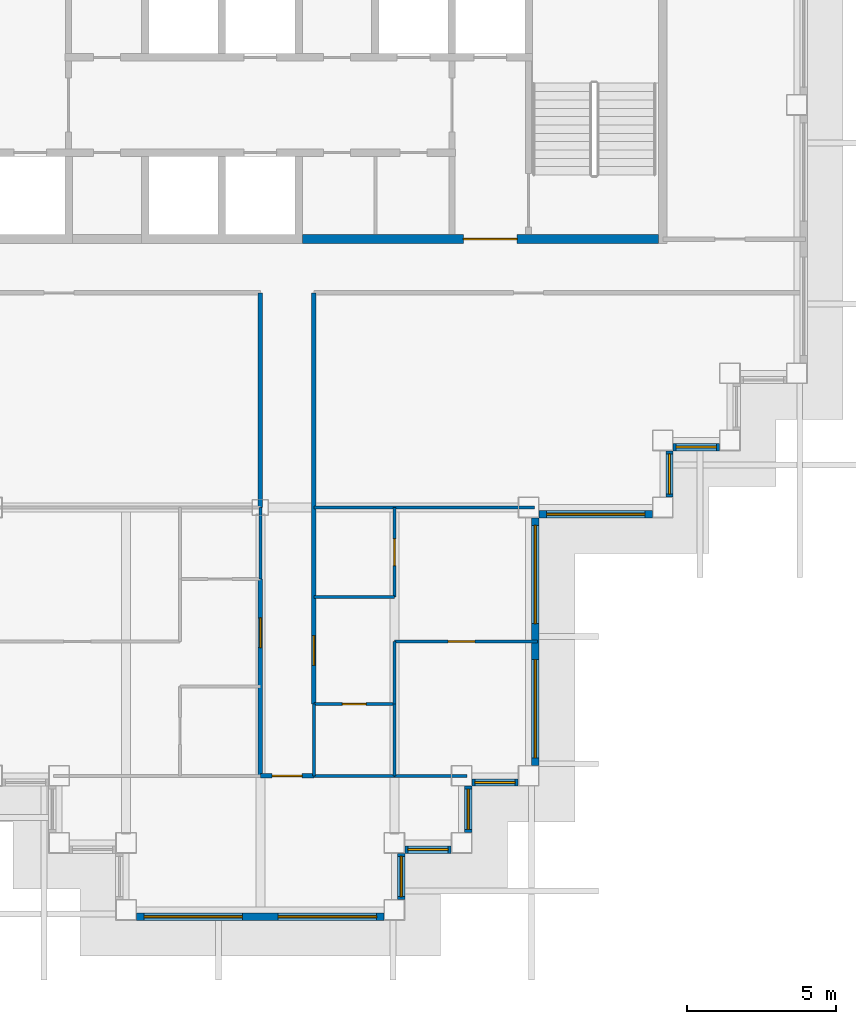
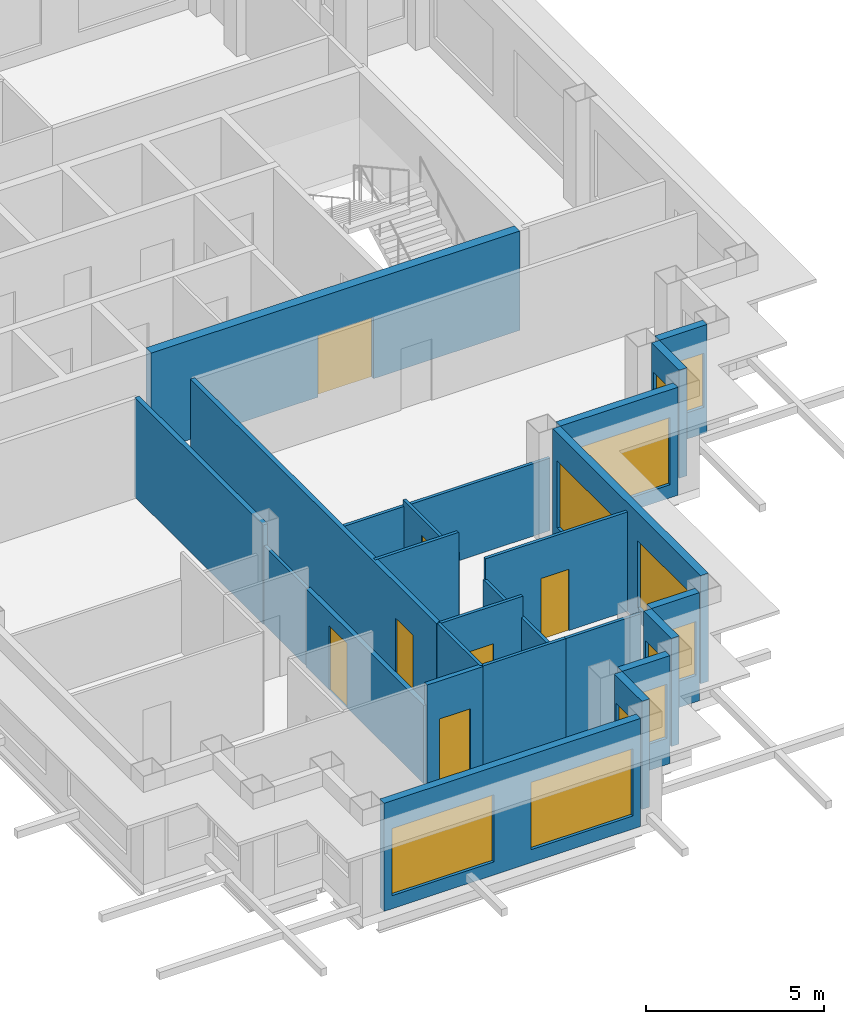
# One storey, part 4 of 12: 25 walls, 11 windows, 7 doors, 18 openings.
"""IFC4 building model written with IfcOpenShell, lengths in metres."""

from ifc_helpers import new_model, si_unit, direction, frame, frame_2d, origin, place, context, subcontext, project, spatial, rectangle, extrude, material, layer, layer_set, type_object, element, fill, save


model = new_model("IFC4")

# Units and contexts
model_context = context("Model", 3, precision=1e-05, world=origin(), true_north=direction((0.0, 1.0)))
body_context = subcontext(model_context, "Body", "Model", "MODEL_VIEW")
ifc_project = project(units=[si_unit("LENGTHUNIT", "METRE"), si_unit("AREAUNIT", "SQUARE_METRE"), si_unit("VOLUMEUNIT", "CUBIC_METRE"), si_unit("PLANEANGLEUNIT", "RADIAN"), si_unit("MASSUNIT", "GRAM", prefix="KILO")], contexts=[model_context])

# Site, building, storey
site_placement = place(None, origin())
site = spatial("IfcSite", under=ifc_project, at=site_placement, CompositionType="ELEMENT")
building_placement = place(site_placement, origin())
building = spatial("IfcBuilding", under=site, at=building_placement, Name="Caravel Reach Hotel and Residences", CompositionType="ELEMENT")
storey_placement = place(building_placement, frame((0.0, 0.0, 203.5)))
storey = spatial("IfcBuildingStorey", under=building, at=storey_placement, Name="L51", CompositionType="ELEMENT", Elevation=203.5)

# Wall
ifc_material_1 = material(Name="Gypsum board on steel stud", Category="steel")
ifc_layer_1 = layer(ifc_material_1, 0.10009765625)
ifc_layer_set_1 = layer_set([ifc_layer_1], Name="Bathroom pod wall 100 mm")
wall_type_1 = type_object("IfcWallType", Name="Bathroom pod wall 100 mm", PredefinedType="PARTITIONING", material=ifc_layer_set_1)
wall_1_placement = place(storey_placement, frame((33.300048828125, 4.5, 0.0), z_axis=(0.0, 0.0, 1.0), x_axis=(1.0, 0.0, 0.0)))
element("IfcWall", 1, at=wall_1_placement, inside=storey, type_object=wall_type_1, Name="L51 wall w072", PredefinedType="PARTITIONING", context=body_context, shape_type="SweptSolid", body=[
    extrude(rectangle(XDim=2.699951171875, YDim=0.10009765625, at=frame_2d((1.35009765625, 0.0))), origin(), (0.0, 0.0, 1.0), 3.39990234375),
])

# Wall, opening, door
wall_2_placement = place(storey_placement, frame((33.300048828125, 6.89990234375, 0.0), z_axis=(0.0, 0.0, 1.0), x_axis=(1.0, 0.0, 0.0)))
wall_2 = element("IfcWall", 2, at=wall_2_placement, inside=storey, type_object=wall_type_1, Name="L51 wall w073", PredefinedType="PARTITIONING", context=body_context, shape_type="SweptSolid", body=[
    extrude(rectangle(XDim=2.699951171875, YDim=0.10009765625, at=frame_2d((1.35009765625, 0.0))), origin(), (0.0, 0.0, 1.0), 3.39990234375),
])
opening_1_placement = place(wall_2_placement, frame((0.949951171875, 0.0, 0.0)))
opening_1 = element("IfcOpeningElement", 3, at=opening_1_placement, cuts=wall_2, Name="Opening D51-038", PredefinedType="OPENING", context=body_context, shape_type="SweptSolid", body=[
    extrude(rectangle(XDim=0.800048828125, YDim=2.10009765625, at=frame_2d((0.39990234375, 1.050048828125))), frame((0.0, 0.06005859375, 0.0), z_axis=(0.0, -1.0, 0.0), x_axis=(1.0, 0.0, 0.0)), (0.0, 0.0, 1.0), 0.1201171875),
])
ifc_material_2 = material(Name="Timber and steel door leaf", Category="steel")
door_type_1 = type_object("IfcDoorType", Name="Bathroom door 800 x 2100", OperationType="SINGLE_SWING_LEFT", PredefinedType="DOOR", material=ifc_material_2)
door_1_placement = place(opening_1_placement, origin())
door_1 = element("IfcDoor", 4, at=door_1_placement, inside=storey, type_object=door_type_1, Name="door D51-038", OperationType="SINGLE_SWING_RIGHT", OverallHeight=2.10009765625, OverallWidth=0.800048828125, PredefinedType="DOOR", context=body_context, shape_type="SweptSolid", body=[
    extrude(rectangle(XDim=0.800048828125, YDim=2.10009765625, at=frame_2d((0.39990234375, 1.050048828125))), frame((0.0, 0.02490234375, 0.0), z_axis=(0.0, -1.0, 0.0), x_axis=(1.0, 0.0, 0.0)), (0.0, 0.0, 1.0), 0.050048828125),
])
fill(opening_1, door_1)

# Walls
wall_3_placement = place(storey_placement, frame((31.5, 11.10009765625, 0.0), z_axis=(0.0, 0.0, 1.0), x_axis=(0.0, 1.0, 0.0)))
element("IfcWall", 5, at=wall_3_placement, inside=storey, type_object=wall_type_1, Name="L51 wall w077", PredefinedType="PARTITIONING", context=body_context, shape_type="SweptSolid", body=[
    extrude(rectangle(XDim=2.39990234375, YDim=0.10009765625, at=frame_2d((1.199951171875, 0.0))), origin(), (0.0, 0.0, 1.0), 2.679931640625),
])
wall_4_placement = place(storey_placement, frame((33.300048828125, 4.5, 0.0), z_axis=(0.0, 0.0, 1.0), x_axis=(0.0, 1.0, 0.0)))
element("IfcWall", 6, at=wall_4_placement, inside=storey, type_object=wall_type_1, Name="L51 wall w078", PredefinedType="PARTITIONING", context=body_context, shape_type="SweptSolid", body=[
    extrude(rectangle(XDim=2.39990234375, YDim=0.10009765625, at=frame_2d((1.199951171875, 0.0))), origin(), (0.0, 0.0, 1.0), 3.39990234375),
])
wall_5_placement = place(storey_placement, frame((36.0, 4.5, 0.0), z_axis=(0.0, 0.0, 1.0), x_axis=(0.0, 1.0, 0.0)))
element("IfcWall", 7, at=wall_5_placement, inside=storey, type_object=wall_type_1, Name="L51 wall w081", PredefinedType="PARTITIONING", context=body_context, shape_type="SweptSolid", body=[
    extrude(rectangle(XDim=2.39990234375, YDim=0.10009765625, at=frame_2d((1.199951171875, 0.0))), origin(), (0.0, 0.0, 1.0), 2.679931640625),
])

# Wall, opening, door
ifc_material_3 = material(Name="Concrete C60", Category="concrete")
ifc_layer_2 = layer(ifc_material_3, 0.300048828125)
ifc_layer_set_2 = layer_set([ifc_layer_2], Name="Core wall 300 mm EI 120")
wall_type_2 = type_object("IfcWallType", Name="Core wall 300 mm EI 120", PredefinedType="SHEAR", material=ifc_layer_set_2)
wall_6_placement = place(storey_placement, frame((32.91064453125, 22.5, 0.0), z_axis=(0.0, 0.0, 1.0), x_axis=(1.0, 0.0, 0.0)))
wall_6 = element("IfcWall", 8, at=wall_6_placement, inside=storey, type_object=wall_type_2, Name="L51 core wall S3", PredefinedType="SHEAR", context=body_context, shape_type="SweptSolid", body=[
    extrude(rectangle(XDim=11.939453125, YDim=0.300048828125, at=frame_2d((5.9697265625, 0.0))), origin(), (0.0, 0.0, 1.0), 3.39990234375),
])
opening_2_placement = place(wall_6_placement, frame((5.403564453125, 0.0, 0.0)))
opening_2 = element("IfcOpeningElement", 9, at=opening_2_placement, cuts=wall_6, Name="Opening D51-016", PredefinedType="OPENING", context=body_context, shape_type="SweptSolid", body=[
    extrude(rectangle(XDim=1.800048828125, YDim=2.10009765625, at=frame_2d((0.89990234375, 1.050048828125))), frame((0.0, 0.159912109375, 0.0), z_axis=(0.0, -1.0, 0.0), x_axis=(1.0, 0.0, 0.0)), (0.0, 0.0, 1.0), 0.320068359375),
])
ifc_material_4 = material(Name="Steel fire door leaf", Category="steel")
door_type_2 = type_object("IfcDoorType", Name="Fire lobby door pair 1800 x 2100 EI 90", OperationType="DOUBLE_DOOR_SINGLE_SWING", PredefinedType="DOOR", material=ifc_material_4)
door_2_placement = place(opening_2_placement, origin())
door_2 = element("IfcDoor", 10, at=door_2_placement, inside=storey, type_object=door_type_2, Name="lobby S door pair to corridor", OperationType="DOUBLE_DOOR_SINGLE_SWING", OverallHeight=2.10009765625, OverallWidth=1.800048828125, PredefinedType="DOOR", context=body_context, shape_type="SweptSolid", body=[
    extrude(rectangle(XDim=1.800048828125, YDim=2.10009765625, at=frame_2d((0.89990234375, 1.050048828125))), frame((0.0, 0.02490234375, 0.0), z_axis=(0.0, -1.0, 0.0), x_axis=(1.0, 0.0, 0.0)), (0.0, 0.0, 1.0), 0.050048828125),
])
fill(opening_2, door_2)

ifc_material_5 = material(Name="Gypsum board on steel stud, fire-rated", Category="steel")
ifc_layer_3 = layer(ifc_material_5, 0.14990234375)
ifc_layer_set_3 = layer_set([ifc_layer_3], Name="Corridor wall 150 mm EI 60")
wall_type_3 = type_object("IfcWallType", Name="Corridor wall 150 mm EI 60", PredefinedType="PARTITIONING", material=ifc_layer_set_3)
wall_7_placement = place(storey_placement, frame((31.5, 4.5, 0.0), z_axis=(0.0, 0.0, 1.0), x_axis=(1.0, 0.0, 0.0)))
wall_7 = element("IfcWall", 11, at=wall_7_placement, inside=storey, type_object=wall_type_3, Name="L51 wall w016", PredefinedType="PARTITIONING", context=body_context, shape_type="SweptSolid", body=[
    extrude(rectangle(XDim=1.800048828125, YDim=0.14990234375, at=frame_2d((0.89990234375, 0.0))), origin(), (0.0, 0.0, 1.0), 3.39990234375),
])
opening_3_placement = place(wall_7_placement, frame((0.39990234375, 0.0, 0.0)))
opening_3 = element("IfcOpeningElement", 12, at=opening_3_placement, cuts=wall_7, Name="Opening D51-043", PredefinedType="OPENING", context=body_context, shape_type="SweptSolid", body=[
    extrude(rectangle(XDim=1.0, YDim=2.10009765625, at=frame_2d((0.5, 1.050048828125))), frame((0.0, 0.0849609375, 0.0), z_axis=(0.0, -1.0, 0.0), x_axis=(1.0, 0.0, 0.0)), (0.0, 0.0, 1.0), 0.169921875),
])
ifc_material_6 = material(Name="Steel fire door leaf", Category="steel")
door_type_3 = type_object("IfcDoorType", Name="Fire door 1000 x 2100 EI 60", OperationType="SINGLE_SWING_LEFT", PredefinedType="DOOR", material=ifc_material_6)
door_3_placement = place(opening_3_placement, origin())
door_3 = element("IfcDoor", 13, at=door_3_placement, inside=storey, type_object=door_type_3, Name="door D51-043", OperationType="SINGLE_SWING_LEFT", OverallHeight=2.10009765625, OverallWidth=1.0, PredefinedType="DOOR", context=body_context, shape_type="SweptSolid", body=[
    extrude(rectangle(XDim=1.0, YDim=2.10009765625, at=frame_2d((0.5, 1.050048828125))), frame((0.0, 0.02490234375, 0.0), z_axis=(0.0, -1.0, 0.0), x_axis=(1.0, 0.0, 0.0)), (0.0, 0.0, 1.0), 0.050048828125),
])
fill(opening_3, door_3)

wall_8_placement = place(storey_placement, frame((31.5, 4.5, 0.0), z_axis=(0.0, 0.0, 1.0), x_axis=(0.0, 1.0, 0.0)))
wall_8 = element("IfcWall", 14, at=wall_8_placement, inside=storey, type_object=wall_type_3, Name="L51 wall w020", PredefinedType="PARTITIONING", context=body_context, shape_type="SweptSolid", body=[
    extrude(rectangle(XDim=6.60009765625, YDim=0.14990234375, at=frame_2d((3.300048828125, 0.0))), origin(), (0.0, 0.0, 1.0), 2.679931640625),
])
opening_4_placement = place(wall_8_placement, frame((4.300048828125, 0.0, 0.0)))
opening_4 = element("IfcOpeningElement", 15, at=opening_4_placement, cuts=wall_8, Name="Opening D51-033", PredefinedType="OPENING", context=body_context, shape_type="SweptSolid", body=[
    extrude(rectangle(XDim=1.0, YDim=2.199951171875, at=frame_2d((0.5, 1.10009765625))), frame((0.0, 0.0849609375, 0.0), z_axis=(0.0, -1.0, 0.0), x_axis=(1.0, 0.0, 0.0)), (0.0, 0.0, 1.0), 0.169921875),
])
ifc_material_7 = material(Name="Steel fire door leaf", Category="steel")
door_type_4 = type_object("IfcDoorType", Name="Flat entrance door 1000 x 2200 EI 60", OperationType="SINGLE_SWING_LEFT", PredefinedType="DOOR", material=ifc_material_7)
door_4_placement = place(opening_4_placement, origin())
door_4 = element("IfcDoor", 16, at=door_4_placement, inside=storey, type_object=door_type_4, Name="door D51-033", OperationType="SINGLE_SWING_LEFT", OverallHeight=2.199951171875, OverallWidth=1.0, PredefinedType="DOOR", context=body_context, shape_type="SweptSolid", body=[
    extrude(rectangle(XDim=1.0, YDim=2.199951171875, at=frame_2d((0.5, 1.10009765625))), frame((0.0, 0.02490234375, 0.0), z_axis=(0.0, -1.0, 0.0), x_axis=(1.0, 0.0, 0.0)), (0.0, 0.0, 1.0), 0.050048828125),
])
fill(opening_4, door_4)

# Wall
wall_9_placement = place(storey_placement, frame((31.5, 13.5, 0.0), z_axis=(0.0, 0.0, 1.0), x_axis=(0.0, 1.0, 0.0)))
element("IfcWall", 17, at=wall_9_placement, inside=storey, type_object=wall_type_3, Name="L51 wall w021", PredefinedType="PARTITIONING", context=body_context, shape_type="SweptSolid", body=[
    extrude(rectangle(XDim=7.199951171875, YDim=0.14990234375, at=frame_2d((3.60009765625, 0.0))), origin(), (0.0, 0.0, 1.0), 3.39990234375),
])

# Wall, opening, door
wall_10_placement = place(storey_placement, frame((33.300048828125, 6.89990234375, 0.0), z_axis=(0.0, 0.0, 1.0), x_axis=(0.0, 1.0, 0.0)))
wall_10 = element("IfcWall", 18, at=wall_10_placement, inside=storey, type_object=wall_type_3, Name="L51 wall w022", PredefinedType="PARTITIONING", context=body_context, shape_type="SweptSolid", body=[
    extrude(rectangle(XDim=13.799072265625, YDim=0.14990234375, at=frame_2d((6.8994140625, 0.0))), origin(), (0.0, 0.0, 1.0), 3.39990234375),
])
opening_5_placement = place(wall_10_placement, frame((1.300048828125, 0.0, 0.0)))
opening_5 = element("IfcOpeningElement", 19, at=opening_5_placement, cuts=wall_10, Name="Opening D51-037", PredefinedType="OPENING", context=body_context, shape_type="SweptSolid", body=[
    extrude(rectangle(XDim=1.0, YDim=2.199951171875, at=frame_2d((0.5, 1.10009765625))), frame((0.0, 0.0849609375, 0.0), z_axis=(0.0, -1.0, 0.0), x_axis=(1.0, 0.0, 0.0)), (0.0, 0.0, 1.0), 0.169921875),
])
door_5_placement = place(opening_5_placement, origin())
door_5 = element("IfcDoor", 20, at=door_5_placement, inside=storey, type_object=door_type_4, Name="door D51-037", OperationType="SINGLE_SWING_RIGHT", OverallHeight=2.199951171875, OverallWidth=1.0, PredefinedType="DOOR", context=body_context, shape_type="SweptSolid", body=[
    extrude(rectangle(XDim=1.0, YDim=2.199951171875, at=frame_2d((0.5, 1.10009765625))), frame((0.0, 0.02490234375, 0.0), z_axis=(0.0, -1.0, 0.0), x_axis=(1.0, 0.0, 0.0)), (0.0, 0.0, 1.0), 0.050048828125),
])
fill(opening_5, door_5)

# Wall, opening, window
ifc_material_8 = material(Name="Insulated rainscreen wall, aluminium cladding", Category="aluminium")
ifc_layer_4 = layer(ifc_material_8, 0.25)
ifc_layer_set_4 = layer_set([ifc_layer_4], Name="EW1 Tower rainscreen wall")
wall_type_4 = type_object("IfcWallType", Name="EW1 Tower rainscreen wall", PredefinedType="SOLIDWALL", material=ifc_layer_set_4)
wall_11_placement = place(storey_placement, frame((40.85009765625, 13.27490234375, 0.0), z_axis=(0.0, 0.0, 1.0), x_axis=(1.0, 0.0, 0.0)))
wall_11 = element("IfcWall", 21, at=wall_11_placement, inside=storey, type_object=wall_type_4, Name="External wall L51 S1.1", PredefinedType="SOLIDWALL", context=body_context, shape_type="SweptSolid", body=[
    extrude(rectangle(XDim=3.7998046875, YDim=0.25, at=frame_2d((1.89990234375, 0.0))), origin(), (0.0, 0.0, 1.0), 3.699951171875),
])
opening_6_placement = place(wall_11_placement, frame((0.25, 0.0, 0.449951171875)))
opening_6 = element("IfcOpeningElement", 22, at=opening_6_placement, cuts=wall_11, Name="Opening WN15", PredefinedType="OPENING", context=body_context, shape_type="SweptSolid", body=[
    extrude(rectangle(XDim=3.300048828125, YDim=2.300048828125, at=frame_2d((1.64990234375, 1.14990234375))), frame((0.0, 0.135009765625, 0.0), z_axis=(0.0, -1.0, 0.0), x_axis=(1.0, 0.0, 0.0)), (0.0, 0.0, 1.0), 0.27001953125),
])
ifc_material_9 = material(Name="Dark low-e glazing in black aluminium frame", Category="aluminium")
window_type_1 = type_object("IfcWindowType", Name="Residence living window 3300 x 2300", PartitioningType="SINGLE_PANEL", PredefinedType="WINDOW", material=ifc_material_9)
window_1_placement = place(opening_6_placement, origin())
window_1 = element("IfcWindow", 23, at=window_1_placement, inside=storey, type_object=window_type_1, Name="Window L51 S1.1.1", OverallHeight=2.300048828125, OverallWidth=3.300048828125, PartitioningType="SINGLE_PANEL", PredefinedType="WINDOW", context=body_context, shape_type="SweptSolid", body=[
    extrude(rectangle(XDim=3.300048828125, YDim=2.300048828125, at=frame_2d((1.64990234375, 1.14990234375))), frame((0.0, 0.030029296875, 0.0), z_axis=(0.0, -1.0, 0.0), x_axis=(1.0, 0.0, 0.0)), (0.0, 0.0, 1.0), 0.06005859375),
])
fill(opening_6, window_1)

wall_12_placement = place(storey_placement, frame((45.22509765625, 13.85009765625, 0.0), z_axis=(0.0, 0.0, 1.0), x_axis=(0.0, 1.0, 0.0)))
wall_12 = element("IfcWall", 24, at=wall_12_placement, inside=storey, type_object=wall_type_4, Name="External wall L51 E2.1", PredefinedType="SOLIDWALL", context=body_context, shape_type="SweptSolid", body=[
    extrude(rectangle(XDim=1.5498046875, YDim=0.25, at=frame_2d((0.77490234375, 0.0))), origin(), (0.0, 0.0, 1.0), 3.699951171875),
])
opening_7_placement = place(wall_12_placement, frame((0.10009765625, 0.0, 0.89990234375)))
opening_7 = element("IfcOpeningElement", 25, at=opening_7_placement, cuts=wall_12, Name="Opening WN21", PredefinedType="OPENING", context=body_context, shape_type="SweptSolid", body=[
    extrude(rectangle(XDim=1.35009765625, YDim=1.85009765625, at=frame_2d((0.675048828125, 0.925048828125))), frame((0.0, 0.135009765625, 0.0), z_axis=(0.0, -1.0, 0.0), x_axis=(1.0, 0.0, 0.0)), (0.0, 0.0, 1.0), 0.27001953125),
])
ifc_material_10 = material(Name="Dark low-e glazing in black aluminium frame", Category="aluminium")
window_type_2 = type_object("IfcWindowType", Name="Residence bedroom window 1350 x 1850", PartitioningType="SINGLE_PANEL", PredefinedType="WINDOW", material=ifc_material_10)
window_2_placement = place(opening_7_placement, origin())
window_2 = element("IfcWindow", 26, at=window_2_placement, inside=storey, type_object=window_type_2, Name="Window L51 E2.1.1", OverallHeight=1.85009765625, OverallWidth=1.35009765625, PartitioningType="SINGLE_PANEL", PredefinedType="WINDOW", context=body_context, shape_type="SweptSolid", body=[
    extrude(rectangle(XDim=1.35009765625, YDim=1.85009765625, at=frame_2d((0.675048828125, 0.925048828125))), frame((0.0, 0.030029296875, 0.0), z_axis=(0.0, -1.0, 0.0), x_axis=(1.0, 0.0, 0.0)), (0.0, 0.0, 1.0), 0.06005859375),
])
fill(opening_7, window_2)

wall_13_placement = place(storey_placement, frame((45.35009765625, 15.52490234375, 0.0), z_axis=(0.0, 0.0, 1.0), x_axis=(1.0, 0.0, 0.0)))
wall_13 = element("IfcWall", 27, at=wall_13_placement, inside=storey, type_object=wall_type_4, Name="External wall L51 S3.1", PredefinedType="SOLIDWALL", context=body_context, shape_type="SweptSolid", body=[
    extrude(rectangle(XDim=1.5498046875, YDim=0.25, at=frame_2d((0.77490234375, 0.0))), origin(), (0.0, 0.0, 1.0), 3.699951171875),
])
opening_8_placement = place(wall_13_placement, frame((0.10009765625, 0.0, 0.89990234375)))
opening_8 = element("IfcOpeningElement", 28, at=opening_8_placement, cuts=wall_13, Name="Opening WN21", PredefinedType="OPENING", context=body_context, shape_type="SweptSolid", body=[
    extrude(rectangle(XDim=1.35009765625, YDim=1.85009765625, at=frame_2d((0.675048828125, 0.925048828125))), frame((0.0, 0.135009765625, 0.0), z_axis=(0.0, -1.0, 0.0), x_axis=(1.0, 0.0, 0.0)), (0.0, 0.0, 1.0), 0.27001953125),
])
window_3_placement = place(opening_8_placement, origin())
window_3 = element("IfcWindow", 29, at=window_3_placement, inside=storey, type_object=window_type_2, Name="Window L51 S3.1.1", OverallHeight=1.85009765625, OverallWidth=1.35009765625, PartitioningType="SINGLE_PANEL", PredefinedType="WINDOW", context=body_context, shape_type="SweptSolid", body=[
    extrude(rectangle(XDim=1.35009765625, YDim=1.85009765625, at=frame_2d((0.675048828125, 0.925048828125))), frame((0.0, 0.030029296875, 0.0), z_axis=(0.0, -1.0, 0.0), x_axis=(1.0, 0.0, 0.0)), (0.0, 0.0, 1.0), 0.06005859375),
])
fill(opening_8, window_3)

# Wall, openings, windows
wall_14_placement = place(storey_placement, frame((27.35009765625, -0.22509765625, 0.0), z_axis=(0.0, 0.0, 1.0), x_axis=(1.0, 0.0, 0.0)))
wall_14 = element("IfcWall", 30, at=wall_14_placement, inside=storey, type_object=wall_type_4, Name="External wall L51 S35.1", PredefinedType="SOLIDWALL", context=body_context, shape_type="SweptSolid", body=[
    extrude(rectangle(XDim=8.2998046875, YDim=0.25, at=frame_2d((4.14990234375, 0.0))), origin(), (0.0, 0.0, 1.0), 3.699951171875),
])
opening_9_placement = place(wall_14_placement, frame((0.25, 0.0, 0.449951171875)))
opening_9 = element("IfcOpeningElement", 31, at=opening_9_placement, cuts=wall_14, Name="Opening WN15", PredefinedType="OPENING", context=body_context, shape_type="SweptSolid", body=[
    extrude(rectangle(XDim=3.300048828125, YDim=2.300048828125, at=frame_2d((1.64990234375, 1.14990234375))), frame((0.0, 0.135009765625, 0.0), z_axis=(0.0, -1.0, 0.0), x_axis=(1.0, 0.0, 0.0)), (0.0, 0.0, 1.0), 0.27001953125),
])
opening_10_placement = place(wall_14_placement, frame((4.75, 0.0, 0.449951171875)))
opening_10 = element("IfcOpeningElement", 32, at=opening_10_placement, cuts=wall_14, Name="Opening WN15", PredefinedType="OPENING", context=body_context, shape_type="SweptSolid", body=[
    extrude(rectangle(XDim=3.300048828125, YDim=2.300048828125, at=frame_2d((1.64990234375, 1.14990234375))), frame((0.0, 0.135009765625, 0.0), z_axis=(0.0, -1.0, 0.0), x_axis=(1.0, 0.0, 0.0)), (0.0, 0.0, 1.0), 0.27001953125),
])
window_4_placement = place(opening_9_placement, origin())
window_4 = element("IfcWindow", 33, at=window_4_placement, inside=storey, type_object=window_type_1, Name="Window L51 S35.1.1", OverallHeight=2.300048828125, OverallWidth=3.300048828125, PartitioningType="SINGLE_PANEL", PredefinedType="WINDOW", context=body_context, shape_type="SweptSolid", body=[
    extrude(rectangle(XDim=3.300048828125, YDim=2.300048828125, at=frame_2d((1.64990234375, 1.14990234375))), frame((0.0, 0.030029296875, 0.0), z_axis=(0.0, -1.0, 0.0), x_axis=(1.0, 0.0, 0.0)), (0.0, 0.0, 1.0), 0.06005859375),
])
fill(opening_9, window_4)
window_5_placement = place(opening_10_placement, origin())
window_5 = element("IfcWindow", 34, at=window_5_placement, inside=storey, type_object=window_type_1, Name="Window L51 S35.1.2", OverallHeight=2.300048828125, OverallWidth=3.300048828125, PartitioningType="SINGLE_PANEL", PredefinedType="WINDOW", context=body_context, shape_type="SweptSolid", body=[
    extrude(rectangle(XDim=3.300048828125, YDim=2.300048828125, at=frame_2d((1.64990234375, 1.14990234375))), frame((0.0, 0.030029296875, 0.0), z_axis=(0.0, -1.0, 0.0), x_axis=(1.0, 0.0, 0.0)), (0.0, 0.0, 1.0), 0.06005859375),
])
fill(opening_10, window_5)

# Wall, opening, window
wall_15_placement = place(storey_placement, frame((36.22509765625, 0.35009765625, 0.0), z_axis=(0.0, 0.0, 1.0), x_axis=(0.0, 1.0, 0.0)))
wall_15 = element("IfcWall", 35, at=wall_15_placement, inside=storey, type_object=wall_type_4, Name="External wall L51 E36.1", PredefinedType="SOLIDWALL", context=body_context, shape_type="SweptSolid", body=[
    extrude(rectangle(XDim=1.5498046875, YDim=0.25, at=frame_2d((0.77490234375, 0.0))), origin(), (0.0, 0.0, 1.0), 3.699951171875),
])
opening_11_placement = place(wall_15_placement, frame((0.10009765625, 0.0, 0.89990234375)))
opening_11 = element("IfcOpeningElement", 36, at=opening_11_placement, cuts=wall_15, Name="Opening WN21", PredefinedType="OPENING", context=body_context, shape_type="SweptSolid", body=[
    extrude(rectangle(XDim=1.35009765625, YDim=1.85009765625, at=frame_2d((0.675048828125, 0.925048828125))), frame((0.0, 0.135009765625, 0.0), z_axis=(0.0, -1.0, 0.0), x_axis=(1.0, 0.0, 0.0)), (0.0, 0.0, 1.0), 0.27001953125),
])
window_6_placement = place(opening_11_placement, origin())
window_6 = element("IfcWindow", 37, at=window_6_placement, inside=storey, type_object=window_type_2, Name="Window L51 E36.1.1", OverallHeight=1.85009765625, OverallWidth=1.35009765625, PartitioningType="SINGLE_PANEL", PredefinedType="WINDOW", context=body_context, shape_type="SweptSolid", body=[
    extrude(rectangle(XDim=1.35009765625, YDim=1.85009765625, at=frame_2d((0.675048828125, 0.925048828125))), frame((0.0, 0.030029296875, 0.0), z_axis=(0.0, -1.0, 0.0), x_axis=(1.0, 0.0, 0.0)), (0.0, 0.0, 1.0), 0.06005859375),
])
fill(opening_11, window_6)

wall_16_placement = place(storey_placement, frame((36.35009765625, 2.02490234375, 0.0), z_axis=(0.0, 0.0, 1.0), x_axis=(1.0, 0.0, 0.0)))
wall_16 = element("IfcWall", 38, at=wall_16_placement, inside=storey, type_object=wall_type_4, Name="External wall L51 S37.1", PredefinedType="SOLIDWALL", context=body_context, shape_type="SweptSolid", body=[
    extrude(rectangle(XDim=1.5498046875, YDim=0.25, at=frame_2d((0.77490234375, 0.0))), origin(), (0.0, 0.0, 1.0), 3.699951171875),
])
opening_12_placement = place(wall_16_placement, frame((0.10009765625, 0.0, 0.89990234375)))
opening_12 = element("IfcOpeningElement", 39, at=opening_12_placement, cuts=wall_16, Name="Opening WN21", PredefinedType="OPENING", context=body_context, shape_type="SweptSolid", body=[
    extrude(rectangle(XDim=1.35009765625, YDim=1.85009765625, at=frame_2d((0.675048828125, 0.925048828125))), frame((0.0, 0.135009765625, 0.0), z_axis=(0.0, -1.0, 0.0), x_axis=(1.0, 0.0, 0.0)), (0.0, 0.0, 1.0), 0.27001953125),
])
window_7_placement = place(opening_12_placement, origin())
window_7 = element("IfcWindow", 40, at=window_7_placement, inside=storey, type_object=window_type_2, Name="Window L51 S37.1.1", OverallHeight=1.85009765625, OverallWidth=1.35009765625, PartitioningType="SINGLE_PANEL", PredefinedType="WINDOW", context=body_context, shape_type="SweptSolid", body=[
    extrude(rectangle(XDim=1.35009765625, YDim=1.85009765625, at=frame_2d((0.675048828125, 0.925048828125))), frame((0.0, 0.030029296875, 0.0), z_axis=(0.0, -1.0, 0.0), x_axis=(1.0, 0.0, 0.0)), (0.0, 0.0, 1.0), 0.06005859375),
])
fill(opening_12, window_7)

wall_17_placement = place(storey_placement, frame((38.47509765625, 2.60009765625, 0.0), z_axis=(0.0, 0.0, 1.0), x_axis=(0.0, 1.0, 0.0)))
wall_17 = element("IfcWall", 41, at=wall_17_placement, inside=storey, type_object=wall_type_4, Name="External wall L51 E38.1", PredefinedType="SOLIDWALL", context=body_context, shape_type="SweptSolid", body=[
    extrude(rectangle(XDim=1.5498046875, YDim=0.25, at=frame_2d((0.77490234375, 0.0))), origin(), (0.0, 0.0, 1.0), 3.699951171875),
])
opening_13_placement = place(wall_17_placement, frame((0.10009765625, 0.0, 0.89990234375)))
opening_13 = element("IfcOpeningElement", 42, at=opening_13_placement, cuts=wall_17, Name="Opening WN21", PredefinedType="OPENING", context=body_context, shape_type="SweptSolid", body=[
    extrude(rectangle(XDim=1.35009765625, YDim=1.85009765625, at=frame_2d((0.675048828125, 0.925048828125))), frame((0.0, 0.135009765625, 0.0), z_axis=(0.0, -1.0, 0.0), x_axis=(1.0, 0.0, 0.0)), (0.0, 0.0, 1.0), 0.27001953125),
])
window_8_placement = place(opening_13_placement, origin())
window_8 = element("IfcWindow", 43, at=window_8_placement, inside=storey, type_object=window_type_2, Name="Window L51 E38.1.1", OverallHeight=1.85009765625, OverallWidth=1.35009765625, PartitioningType="SINGLE_PANEL", PredefinedType="WINDOW", context=body_context, shape_type="SweptSolid", body=[
    extrude(rectangle(XDim=1.35009765625, YDim=1.85009765625, at=frame_2d((0.675048828125, 0.925048828125))), frame((0.0, 0.030029296875, 0.0), z_axis=(0.0, -1.0, 0.0), x_axis=(1.0, 0.0, 0.0)), (0.0, 0.0, 1.0), 0.06005859375),
])
fill(opening_13, window_8)

wall_18_placement = place(storey_placement, frame((38.60009765625, 4.27490234375, 0.0), z_axis=(0.0, 0.0, 1.0), x_axis=(1.0, 0.0, 0.0)))
wall_18 = element("IfcWall", 44, at=wall_18_placement, inside=storey, type_object=wall_type_4, Name="External wall L51 S39.1", PredefinedType="SOLIDWALL", context=body_context, shape_type="SweptSolid", body=[
    extrude(rectangle(XDim=1.5498046875, YDim=0.25, at=frame_2d((0.77490234375, 0.0))), origin(), (0.0, 0.0, 1.0), 3.699951171875),
])
opening_14_placement = place(wall_18_placement, frame((0.10009765625, 0.0, 0.89990234375)))
opening_14 = element("IfcOpeningElement", 45, at=opening_14_placement, cuts=wall_18, Name="Opening WN21", PredefinedType="OPENING", context=body_context, shape_type="SweptSolid", body=[
    extrude(rectangle(XDim=1.35009765625, YDim=1.85009765625, at=frame_2d((0.675048828125, 0.925048828125))), frame((0.0, 0.135009765625, 0.0), z_axis=(0.0, -1.0, 0.0), x_axis=(1.0, 0.0, 0.0)), (0.0, 0.0, 1.0), 0.27001953125),
])
window_9_placement = place(opening_14_placement, origin())
window_9 = element("IfcWindow", 46, at=window_9_placement, inside=storey, type_object=window_type_2, Name="Window L51 S39.1.1", OverallHeight=1.85009765625, OverallWidth=1.35009765625, PartitioningType="SINGLE_PANEL", PredefinedType="WINDOW", context=body_context, shape_type="SweptSolid", body=[
    extrude(rectangle(XDim=1.35009765625, YDim=1.85009765625, at=frame_2d((0.675048828125, 0.925048828125))), frame((0.0, 0.030029296875, 0.0), z_axis=(0.0, -1.0, 0.0), x_axis=(1.0, 0.0, 0.0)), (0.0, 0.0, 1.0), 0.06005859375),
])
fill(opening_14, window_9)

# Wall, openings, windows
wall_19_placement = place(storey_placement, frame((40.72509765625, 4.85009765625, 0.0), z_axis=(0.0, 0.0, 1.0), x_axis=(0.0, 1.0, 0.0)))
wall_19 = element("IfcWall", 47, at=wall_19_placement, inside=storey, type_object=wall_type_4, Name="External wall L51 E40.1", PredefinedType="SOLIDWALL", context=body_context, shape_type="SweptSolid", body=[
    extrude(rectangle(XDim=8.2998046875, YDim=0.25, at=frame_2d((4.14990234375, 0.0))), origin(), (0.0, 0.0, 1.0), 3.699951171875),
])
opening_15_placement = place(wall_19_placement, frame((0.25, 0.0, 0.449951171875)))
opening_15 = element("IfcOpeningElement", 48, at=opening_15_placement, cuts=wall_19, Name="Opening WN15", PredefinedType="OPENING", context=body_context, shape_type="SweptSolid", body=[
    extrude(rectangle(XDim=3.300048828125, YDim=2.300048828125, at=frame_2d((1.64990234375, 1.14990234375))), frame((0.0, 0.135009765625, 0.0), z_axis=(0.0, -1.0, 0.0), x_axis=(1.0, 0.0, 0.0)), (0.0, 0.0, 1.0), 0.27001953125),
])
opening_16_placement = place(wall_19_placement, frame((4.75, 0.0, 0.449951171875)))
opening_16 = element("IfcOpeningElement", 49, at=opening_16_placement, cuts=wall_19, Name="Opening WN15", PredefinedType="OPENING", context=body_context, shape_type="SweptSolid", body=[
    extrude(rectangle(XDim=3.300048828125, YDim=2.300048828125, at=frame_2d((1.64990234375, 1.14990234375))), frame((0.0, 0.135009765625, 0.0), z_axis=(0.0, -1.0, 0.0), x_axis=(1.0, 0.0, 0.0)), (0.0, 0.0, 1.0), 0.27001953125),
])
window_10_placement = place(opening_15_placement, origin())
window_10 = element("IfcWindow", 50, at=window_10_placement, inside=storey, type_object=window_type_1, Name="Window L51 E40.1.1", OverallHeight=2.300048828125, OverallWidth=3.300048828125, PartitioningType="SINGLE_PANEL", PredefinedType="WINDOW", context=body_context, shape_type="SweptSolid", body=[
    extrude(rectangle(XDim=3.300048828125, YDim=2.300048828125, at=frame_2d((1.64990234375, 1.14990234375))), frame((0.0, 0.030029296875, 0.0), z_axis=(0.0, -1.0, 0.0), x_axis=(1.0, 0.0, 0.0)), (0.0, 0.0, 1.0), 0.06005859375),
])
fill(opening_15, window_10)
window_11_placement = place(opening_16_placement, origin())
window_11 = element("IfcWindow", 51, at=window_11_placement, inside=storey, type_object=window_type_1, Name="Window L51 E40.1.2", OverallHeight=2.300048828125, OverallWidth=3.300048828125, PartitioningType="SINGLE_PANEL", PredefinedType="WINDOW", context=body_context, shape_type="SweptSolid", body=[
    extrude(rectangle(XDim=3.300048828125, YDim=2.300048828125, at=frame_2d((1.64990234375, 1.14990234375))), frame((0.0, 0.030029296875, 0.0), z_axis=(0.0, -1.0, 0.0), x_axis=(1.0, 0.0, 0.0)), (0.0, 0.0, 1.0), 0.06005859375),
])
fill(opening_16, window_11)

# Walls
ifc_material_11 = material(Name="Gypsum board on steel stud", Category="steel")
ifc_layer_5 = layer(ifc_material_11, 0.10009765625)
ifc_layer_set_5 = layer_set([ifc_layer_5], Name="Partition 100 mm")
wall_type_5 = type_object("IfcWallType", Name="Partition 100 mm", PredefinedType="PARTITIONING", material=ifc_layer_set_5)
wall_20_placement = place(storey_placement, frame((33.300048828125, 10.5, 0.0), z_axis=(0.0, 0.0, 1.0), x_axis=(1.0, 0.0, 0.0)))
element("IfcWall", 52, at=wall_20_placement, inside=storey, type_object=wall_type_5, Name="L51 wall w027", PredefinedType="PARTITIONING", context=body_context, shape_type="SweptSolid", body=[
    extrude(rectangle(XDim=2.699951171875, YDim=0.10009765625, at=frame_2d((1.35009765625, 0.0))), origin(), (0.0, 0.0, 1.0), 3.39990234375),
])
wall_21_placement = place(storey_placement, frame((33.301025390625, 13.5, 0.0), z_axis=(0.0, 0.0, 1.0), x_axis=(1.0, 0.0, 0.0)))
element("IfcWall", 53, at=wall_21_placement, inside=storey, type_object=wall_type_5, Name="L51 wall w029", PredefinedType="PARTITIONING", context=body_context, shape_type="SweptSolid", body=[
    extrude(rectangle(XDim=7.388916015625, YDim=0.10009765625, at=frame_2d((3.6943359375, 0.0))), origin(), (0.0, 0.0, 1.0), 2.47998046875),
])
wall_22_placement = place(storey_placement, frame((36.0, 4.5, 0.0), z_axis=(0.0, 0.0, 1.0), x_axis=(1.0, 0.0, 0.0)))
element("IfcWall", 54, at=wall_22_placement, inside=storey, type_object=wall_type_5, Name="L51 wall w038", PredefinedType="PARTITIONING", context=body_context, shape_type="SweptSolid", body=[
    extrude(rectangle(XDim=2.43994140625, YDim=0.10009765625, at=frame_2d((1.219970703125, 0.0))), origin(), (0.0, 0.0, 1.0), 3.39990234375),
])

# Wall, opening, door
wall_23_placement = place(storey_placement, frame((36.0, 9.0, 0.0), z_axis=(0.0, 0.0, 1.0), x_axis=(1.0, 0.0, 0.0)))
wall_23 = element("IfcWall", 55, at=wall_23_placement, inside=storey, type_object=wall_type_5, Name="L51 wall w042", PredefinedType="PARTITIONING", context=body_context, shape_type="SweptSolid", body=[
    extrude(rectangle(XDim=4.7900390625, YDim=0.10009765625, at=frame_2d((2.39501953125, 0.0))), origin(), (0.0, 0.0, 1.0), 3.39990234375),
])
opening_17_placement = place(wall_23_placement, frame((1.800048828125, 0.0, 0.0)))
opening_17 = element("IfcOpeningElement", 56, at=opening_17_placement, cuts=wall_23, Name="Opening D51-040", PredefinedType="OPENING", context=body_context, shape_type="SweptSolid", body=[
    extrude(rectangle(XDim=0.89990234375, YDim=2.10009765625, at=frame_2d((0.449951171875, 1.050048828125))), frame((0.0, 0.06005859375, 0.0), z_axis=(0.0, -1.0, 0.0), x_axis=(1.0, 0.0, 0.0)), (0.0, 0.0, 1.0), 0.1201171875),
])
ifc_material_12 = material(Name="Timber and steel door leaf", Category="steel")
door_type_5 = type_object("IfcDoorType", Name="Door 900 x 2100 timber", OperationType="SINGLE_SWING_LEFT", PredefinedType="DOOR", material=ifc_material_12)
door_6_placement = place(opening_17_placement, origin())
door_6 = element("IfcDoor", 57, at=door_6_placement, inside=storey, type_object=door_type_5, Name="door D51-040", OperationType="SINGLE_SWING_RIGHT", OverallHeight=2.10009765625, OverallWidth=0.89990234375, PredefinedType="DOOR", context=body_context, shape_type="SweptSolid", body=[
    extrude(rectangle(XDim=0.89990234375, YDim=2.10009765625, at=frame_2d((0.449951171875, 1.050048828125))), frame((0.0, 0.02490234375, 0.0), z_axis=(0.0, -1.0, 0.0), x_axis=(1.0, 0.0, 0.0)), (0.0, 0.0, 1.0), 0.050048828125),
])
fill(opening_17, door_6)

# Wall
wall_24_placement = place(storey_placement, frame((36.0, 6.89990234375, 0.0), z_axis=(0.0, 0.0, 1.0), x_axis=(0.0, 1.0, 0.0)))
element("IfcWall", 58, at=wall_24_placement, inside=storey, type_object=wall_type_5, Name="L51 wall w055", PredefinedType="PARTITIONING", context=body_context, shape_type="SweptSolid", body=[
    extrude(rectangle(XDim=2.10009765625, YDim=0.10009765625, at=frame_2d((1.050048828125, 0.0))), origin(), (0.0, 0.0, 1.0), 2.679931640625),
])

# Wall, opening, door
wall_25_placement = place(storey_placement, frame((36.0, 10.5, 0.0), z_axis=(0.0, 0.0, 1.0), x_axis=(0.0, 1.0, 0.0)))
wall_25 = element("IfcWall", 59, at=wall_25_placement, inside=storey, type_object=wall_type_5, Name="L51 wall w056", PredefinedType="PARTITIONING", context=body_context, shape_type="SweptSolid", body=[
    extrude(rectangle(XDim=3.0, YDim=0.10009765625, at=frame_2d((1.5, 0.0))), origin(), (0.0, 0.0, 1.0), 2.679931640625),
])
opening_18_placement = place(wall_25_placement, frame((1.050048828125, 0.0, 0.0)))
opening_18 = element("IfcOpeningElement", 60, at=opening_18_placement, cuts=wall_25, Name="Opening D51-039", PredefinedType="OPENING", context=body_context, shape_type="SweptSolid", body=[
    extrude(rectangle(XDim=0.89990234375, YDim=2.10009765625, at=frame_2d((0.449951171875, 1.050048828125))), frame((0.0, 0.06005859375, 0.0), z_axis=(0.0, -1.0, 0.0), x_axis=(1.0, 0.0, 0.0)), (0.0, 0.0, 1.0), 0.1201171875),
])
door_7_placement = place(opening_18_placement, origin())
door_7 = element("IfcDoor", 61, at=door_7_placement, inside=storey, type_object=door_type_5, Name="door D51-039", OperationType="SINGLE_SWING_LEFT", OverallHeight=2.10009765625, OverallWidth=0.89990234375, PredefinedType="DOOR", context=body_context, shape_type="SweptSolid", body=[
    extrude(rectangle(XDim=0.89990234375, YDim=2.10009765625, at=frame_2d((0.449951171875, 1.050048828125))), frame((0.0, 0.02490234375, 0.0), z_axis=(0.0, -1.0, 0.0), x_axis=(1.0, 0.0, 0.0)), (0.0, 0.0, 1.0), 0.050048828125),
])
fill(opening_18, door_7)

save(model, "model.ifc")
